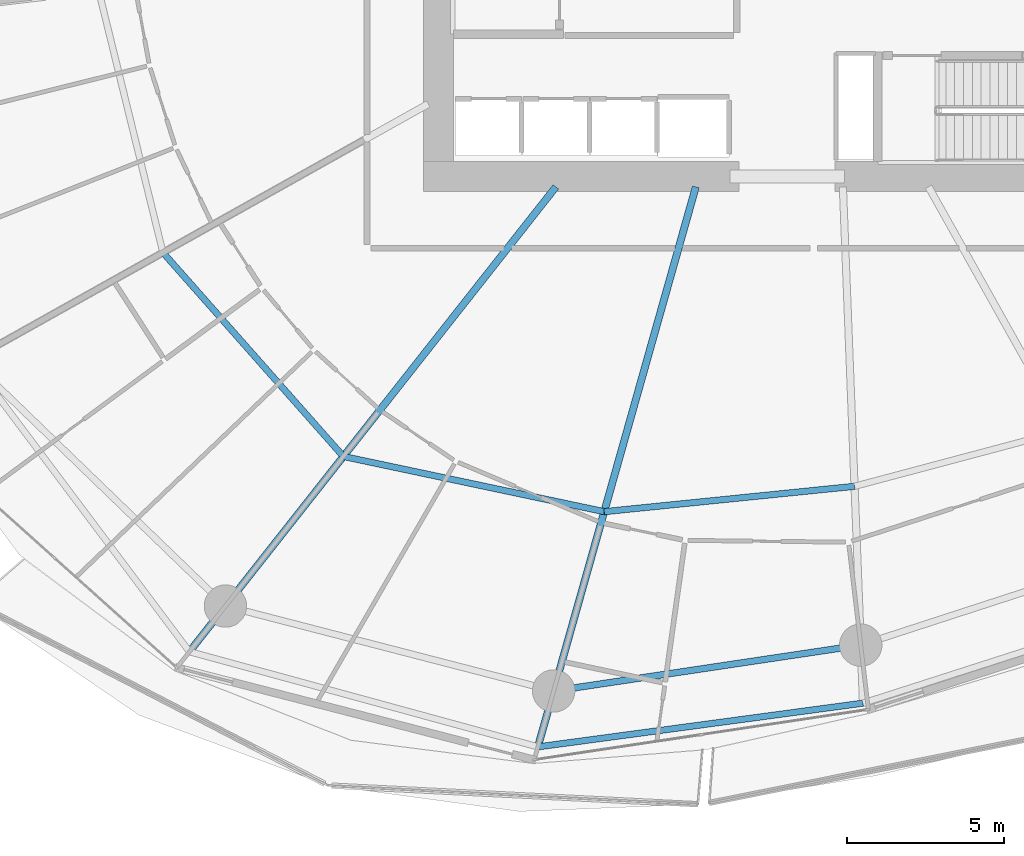
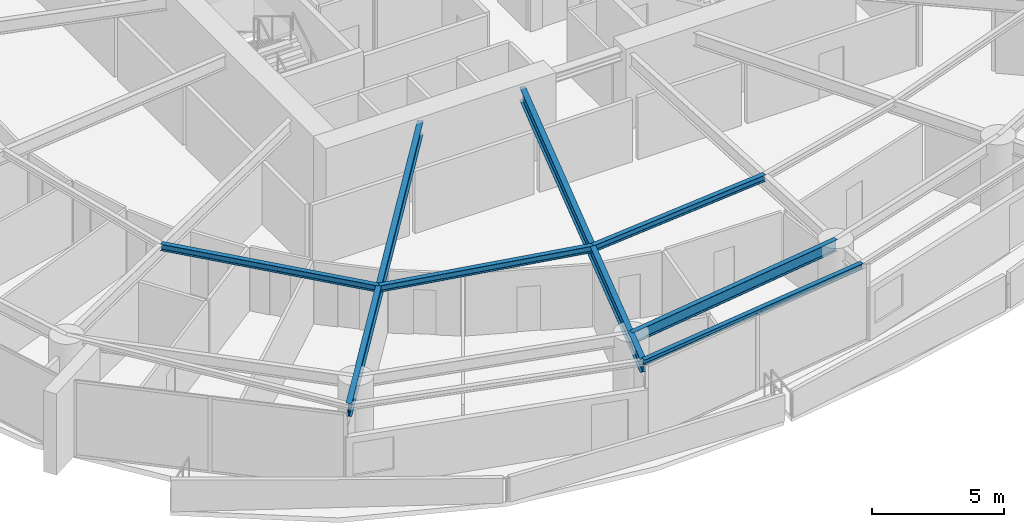
# One storey, part 7 of 31: 7 beams.
"""IFC4 building model written with IfcOpenShell, lengths in metres."""

from ifc_helpers import new_model, si_unit, direction, frame, origin, origin_2d, place, context, subcontext, project, spatial, i_section, extrude, material, material_profile, profile_set, type_object, element, save


model = new_model("IFC4")

# Units and contexts
model_context = context("Model", 3, precision=1e-05, world=origin(), true_north=direction((0.0, 1.0)))
body_context = subcontext(model_context, "Body", "Model", "MODEL_VIEW")
ifc_project = project(units=[si_unit("LENGTHUNIT", "METRE"), si_unit("AREAUNIT", "SQUARE_METRE"), si_unit("VOLUMEUNIT", "CUBIC_METRE"), si_unit("PLANEANGLEUNIT", "RADIAN"), si_unit("MASSUNIT", "GRAM", prefix="KILO")], contexts=[model_context])

# Site, building, storey
site_placement = place(None, origin())
site = spatial("IfcSite", under=ifc_project, at=site_placement, CompositionType="ELEMENT")
building_placement = place(site_placement, origin())
building = spatial("IfcBuilding", under=site, at=building_placement, Name="Kazma Halo Residences", CompositionType="ELEMENT")
storey_placement = place(building_placement, frame((0.0, 0.0, 37.64990234375)))
storey = spatial("IfcBuildingStorey", under=building, at=storey_placement, Name="L08", CompositionType="ELEMENT", Elevation=37.64990234375)

# Beams
ifc_material = material(Name="Steel S355", Category="steel")
ifc_material_profile_1 = material_profile(ifc_material, i_section(OverallWidth=0.201904296875, OverallDepth=0.2470703125, WebThickness=0.00732421875, FlangeThickness=0.010986328125, FilletRadius=0.011962890625, at=origin_2d()), Name="W250x49.1")
ifc_profile_set_1 = profile_set([ifc_material_profile_1], Name="Steel S355")
beam_type_1 = type_object("IfcBeamType", Name="BM-BAL-CANT", PredefinedType="BEAM", material=ifc_profile_set_1)
beam_1_placement = place(storey_placement, frame((40.489501953125, 15.3701171875, 3.376708984375), z_axis=(0.991080087388, 0.133267626912, 0.0), x_axis=(-0.133267626912, 0.991080087388, 0.0)))
element("IfcBeam", 1, at=beam_1_placement, inside=storey, type_object=beam_type_1, Name="L08 wave-balcony tie beam 11", PredefinedType="BEAM", context=body_context, shape_type="SweptSolid", body=[
    extrude(i_section(OverallWidth=0.201904296875, OverallDepth=0.2470703125, WebThickness=0.00732421875, FlangeThickness=0.010986328125, FilletRadius=0.011962890625, at=origin_2d()), origin(), (0.0, 0.0, 1.0), 10.444091796875),
])
ifc_material_profile_2 = material_profile(ifc_material, i_section(OverallWidth=0.22802734375, OverallDepth=0.60791015625, WebThickness=0.01123046875, FlangeThickness=0.017333984375, FilletRadius=0.01806640625, at=origin_2d()), Name="W610x113")
ifc_profile_set_2 = profile_set([ifc_material_profile_2], Name="Steel S355")
beam_type_2 = type_object("IfcBeamType", Name="BM-RAD-W610", PredefinedType="BEAM", material=ifc_profile_set_2)
beam_2_placement = place(storey_placement, frame((41.0625, 33.199951171875, 3.196044921875), z_axis=(-0.619092154321, -0.785318345932, 0.0), x_axis=(0.785318345932, -0.619092154321, 0.0)))
element("IfcBeam", 2, at=beam_2_placement, inside=storey, type_object=beam_type_2, Name="L08 radial floor beam 10", PredefinedType="BEAM", context=body_context, shape_type="SweptSolid", body=[
    extrude(i_section(OverallWidth=0.22802734375, OverallDepth=0.60791015625, WebThickness=0.01123046875, FlangeThickness=0.017333984375, FilletRadius=0.01806640625, at=origin_2d()), origin(), (0.0, 0.0, 1.0), 18.84375),
])
beam_3_placement = place(storey_placement, frame((45.51806640625, 33.199951171875, 3.196044921875), z_axis=(-0.271442010129, -0.962454796412, 0.0), x_axis=(0.962454796412, -0.271442010129, 0.0)))
element("IfcBeam", 3, at=beam_3_placement, inside=storey, type_object=beam_type_2, Name="L08 radial floor beam 11", PredefinedType="BEAM", context=body_context, shape_type="SweptSolid", body=[
    extrude(i_section(OverallWidth=0.22802734375, OverallDepth=0.60791015625, WebThickness=0.01123046875, FlangeThickness=0.017333984375, FilletRadius=0.01806640625, at=origin_2d()), origin(), (0.0, 0.0, 1.0), 18.525390625),
])
ifc_material_profile_3 = material_profile(ifc_material, i_section(OverallWidth=0.202880859375, OverallDepth=0.302978515625, WebThickness=0.007568359375, FlangeThickness=0.01318359375, FilletRadius=0.013916015625, at=origin_2d()), Name="W310x60")
ifc_profile_set_3 = profile_set([ifc_material_profile_3], Name="Steel S355")
beam_type_3 = type_object("IfcBeamType", Name="BM-SEC-W310A", PredefinedType="JOIST", material=ifc_profile_set_3)
beam_4_placement = place(storey_placement, frame((28.55224609375, 31.10888671875, 3.3486328125), z_axis=(0.662640120169, -0.748937962146, 0.0), x_axis=(0.748937962146, 0.662640120169, 0.0)))
element("IfcBeam", 4, at=beam_4_placement, inside=storey, type_object=beam_type_3, Name="L08 circumferential floor joist 09", PredefinedType="JOIST", context=body_context, shape_type="SweptSolid", body=[
    extrude(i_section(OverallWidth=0.202880859375, OverallDepth=0.302978515625, WebThickness=0.007568359375, FlangeThickness=0.01318359375, FilletRadius=0.013916015625, at=origin_2d()), origin(), (0.0, 0.0, 1.0), 8.668212890625),
])
beam_5_placement = place(storey_placement, frame((34.296142578125, 24.616943359375, 3.3486328125), z_axis=(0.97831665719, -0.207114746615, 0.0), x_axis=(0.207114746615, 0.97831665719, 0.0)))
element("IfcBeam", 5, at=beam_5_placement, inside=storey, type_object=beam_type_3, Name="L08 circumferential floor joist 10", PredefinedType="JOIST", context=body_context, shape_type="SweptSolid", body=[
    extrude(i_section(OverallWidth=0.202880859375, OverallDepth=0.302978515625, WebThickness=0.007568359375, FlangeThickness=0.01318359375, FilletRadius=0.013916015625, at=origin_2d()), origin(), (0.0, 0.0, 1.0), 8.489501953125),
])
beam_6_placement = place(storey_placement, frame((42.6015625, 22.858642578125, 3.3486328125), z_axis=(0.994907811148, 0.100789123008, 0.0), x_axis=(-0.100789123008, 0.994907811148, 0.0)))
element("IfcBeam", 6, at=beam_6_placement, inside=storey, type_object=beam_type_3, Name="L08 circumferential floor joist 11", PredefinedType="JOIST", context=body_context, shape_type="SweptSolid", body=[
    extrude(i_section(OverallWidth=0.202880859375, OverallDepth=0.302978515625, WebThickness=0.007568359375, FlangeThickness=0.01318359375, FilletRadius=0.013916015625, at=origin_2d()), origin(), (0.0, 0.0, 1.0), 8.010498046875),
])
ifc_material_profile_4 = material_profile(ifc_material, i_section(OverallWidth=0.208984375, OverallDepth=0.532958984375, WebThickness=0.01025390625, FlangeThickness=0.015625, FilletRadius=0.01611328125, at=origin_2d()), Name="W530x92")
ifc_profile_set_4 = profile_set([ifc_material_profile_4], Name="Steel S355")
beam_type_4 = type_object("IfcBeamType", Name="BM-SPN-W530", PredefinedType="BEAM", material=ifc_profile_set_4)
beam_7_placement = place(storey_placement, frame((40.99169921875, 17.150634765625, 3.233642578125), z_axis=(0.989033061974, 0.147694286693, 0.0), x_axis=(-0.147694286693, 0.989033061974, 0.0)))
element("IfcBeam", 7, at=beam_7_placement, inside=storey, type_object=beam_type_4, Name="L08 perimeter ring beam 11", PredefinedType="BEAM", context=body_context, shape_type="SweptSolid", body=[
    extrude(i_section(OverallWidth=0.208984375, OverallDepth=0.532958984375, WebThickness=0.01025390625, FlangeThickness=0.015625, FilletRadius=0.01611328125, at=origin_2d()), origin(), (0.0, 0.0, 1.0), 9.885009765625),
])

save(model, "model.ifc")
